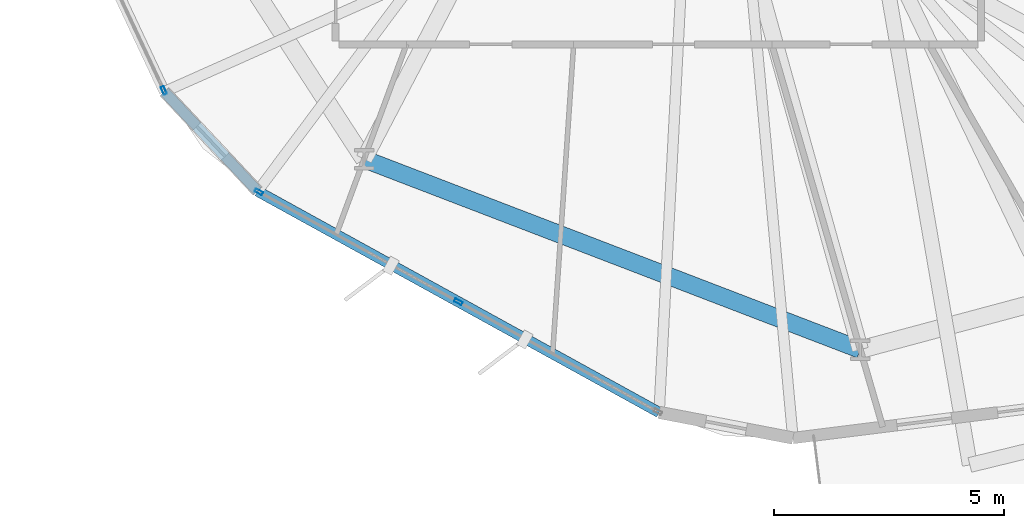
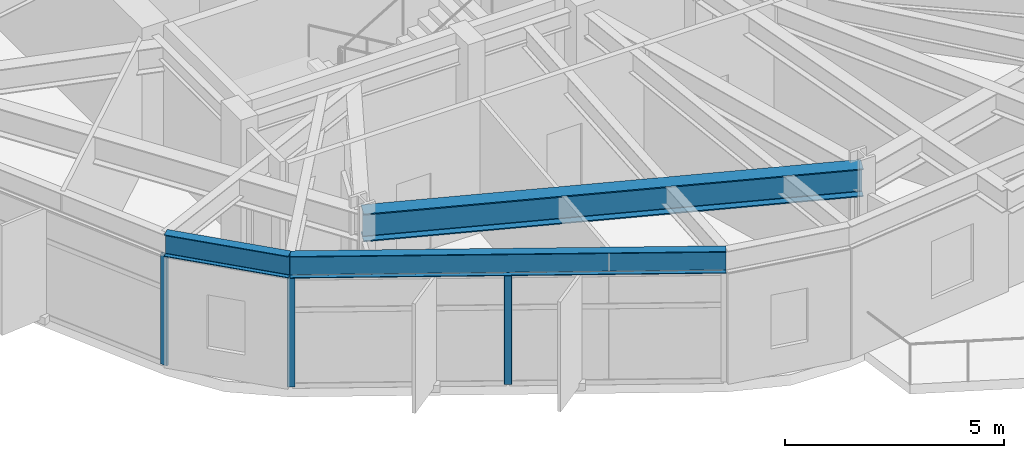
# One storey, part 2 of 22: 3 beams, 3 members, 2 elements without a shape of their own.
"""IFC4 building model written with IfcOpenShell, lengths in metres."""

import ifcopenshell
import ifcopenshell.guid

model = None  # the IFC model being written
_history = None  # IfcOwnerHistory: only IFC2X3 demands one
_inside = {}  # id of a spatial element -> (the spatial element, [elements in it])
_under = {}  # id of a project, library or spatial element -> (it, [spatial elements below it])
_declared = {}  # id of a project -> (the project, [libraries it declares])
_typed = {}  # id of a type object -> (the type object, [elements of that type])
_made_of = {}  # id of a material, layer set ... -> (it, [elements and type objects made of it])


def new_model(schema):
    """Start an empty IFC model of exactly this schema.

    Asked for "IFC4X3", IfcOpenShell would pick the latest addendum, in which some entities
    have other attributes; the version numbers below select the first issue.
    IFC2X3 requires an IfcOwnerHistory on every rooted entity: one is made here for all.
    """
    global model, _history
    if schema == "IFC4X3":
        model = ifcopenshell.file(schema_version=(4, 3, 0, 0))
    else:
        model = ifcopenshell.file(schema=schema)
    _inside.clear()
    _under.clear()
    _declared.clear()
    _typed.clear()
    _made_of.clear()
    _history = None
    if model.schema == "IFC2X3":
        org = make("IfcOrganization", Name="unknown")
        user = make(
            "IfcPersonAndOrganization",
            ThePerson=make("IfcPerson", FamilyName="unknown"),
            TheOrganization=org,
        )
        app = make(
            "IfcApplication",
            ApplicationDeveloper=org,
            Version="unknown",
            ApplicationFullName="unknown",
            ApplicationIdentifier="unknown",
        )
        _history = make(
            "IfcOwnerHistory",
            OwningUser=user,
            OwningApplication=app,
            ChangeAction="ADDED",
            CreationDate=0,
        )
    return model


def make(cls, **values):
    """One entity of the class cls with the attributes given. An attribute that is None is left unset."""
    return model.create_entity(
        cls, **{name: value for name, value in values.items() if value is not None}
    )


def rooted(cls, **values):
    """An entity with a GlobalId (a new one), such as an element, a storey or a relation."""
    return make(cls, GlobalId=ifcopenshell.guid.new(), OwnerHistory=_history, **values)


def si_unit(unit_type, name, prefix=None):
    """IfcSIUnit, for example si_unit("LENGTHUNIT", "METRE", prefix="MILLI")."""
    return make("IfcSIUnit", UnitType=unit_type, Prefix=prefix, Name=name)


def assignment(units):
    """IfcUnitAssignment: the units of a project."""
    return None if units is None else make("IfcUnitAssignment", Units=units)


def point(xyz):
    """IfcCartesianPoint."""
    return None if xyz is None else make("IfcCartesianPoint", Coordinates=xyz)


def direction(xyz):
    """IfcDirection."""
    return None if xyz is None else make("IfcDirection", DirectionRatios=xyz)


def frame(location, z_axis=None, x_axis=None):
    """IfcAxis2Placement3D, a coordinate frame: its origin and axes. An axis left out is left unset."""
    return make(
        "IfcAxis2Placement3D",
        Location=point(location),
        Axis=direction(z_axis),
        RefDirection=direction(x_axis),
    )


def frame_2d(location, x_axis=None):
    """IfcAxis2Placement2D, a coordinate frame in the plane: its origin and x axis."""
    return make(
        "IfcAxis2Placement2D", Location=point(location), RefDirection=direction(x_axis)
    )


def origin():
    """The frame at (0, 0, 0) with its axes left unset."""
    return frame((0.0, 0.0, 0.0))


def origin_2d():
    """The frame at (0, 0) in the plane with its x axis left unset."""
    return frame_2d((0.0, 0.0))


def place(relative_to, where):
    """IfcLocalPlacement: puts the frame where relative to a parent placement (None: the world)."""
    return make(
        "IfcLocalPlacement", PlacementRelTo=relative_to, RelativePlacement=where
    )


def context(
    kind, dimensions, precision=None, world=None, true_north=None, identifier=None
):
    """IfcGeometricRepresentationContext, for example the 3D "Model" context."""
    return make(
        "IfcGeometricRepresentationContext",
        ContextIdentifier=identifier,
        ContextType=kind,
        CoordinateSpaceDimension=dimensions,
        Precision=precision,
        WorldCoordinateSystem=world,
        TrueNorth=true_north,
    )


def subcontext(parent, identifier, kind, view, scale=None):
    """IfcGeometricRepresentationSubContext, for example "Body" below "Model"."""
    return make(
        "IfcGeometricRepresentationSubContext",
        ContextIdentifier=identifier,
        ContextType=kind,
        ParentContext=parent,
        TargetScale=scale,
        TargetView=view,
    )


def project(units=None, contexts=None):
    """IfcProject with its units and contexts."""
    return rooted(
        "IfcProject",
        Name="project",
        RepresentationContexts=contexts,
        UnitsInContext=assignment(units),
    )


def spatial(cls, under=None, at=None, **own):
    """A site, building, storey or space (cls), placed at a placement, below another one or the project."""
    s = rooted(cls, ObjectPlacement=at, **own)
    if under is not None:
        _under.setdefault(under.id(), (under, []))[1].append(s)
    return s


def profile(cls, at=None, kind="AREA", **sizes):
    """A parametric profile (cls). Its sizes go by their IFC names, for example OverallWidth=200.0."""
    return make(cls, ProfileType=kind, Position=at, **sizes)


def hollow_rectangle(**sizes):
    """IfcRectangleHollowProfileDef."""
    return profile("IfcRectangleHollowProfileDef", **sizes)


def i_section(**sizes):
    """IfcIShapeProfileDef."""
    return profile("IfcIShapeProfileDef", **sizes)


def extrude(swept, where, along, depth):
    """IfcExtrudedAreaSolid: the profile swept, set in the frame where, extruded along a direction by depth."""
    return make(
        "IfcExtrudedAreaSolid",
        SweptArea=swept,
        Position=where,
        ExtrudedDirection=direction(along),
        Depth=depth,
    )


def shape(context_of_items, identifier, shape_type, items):
    """IfcShapeRepresentation: the items that make up one representation, for example the "Body"."""
    return make(
        "IfcShapeRepresentation",
        ContextOfItems=context_of_items,
        RepresentationIdentifier=identifier,
        RepresentationType=shape_type,
        Items=items,
    )


def material(Name=None, Category=None):
    """IfcMaterial."""
    return make("IfcMaterial", Name=Name, Category=Category)


def layer(
    of_material, thickness, ventilated=None, Name=None, Category=None, Priority=None
):
    """IfcMaterialLayer: one layer of a wall or slab, of a material (None: an air gap)."""
    return make(
        "IfcMaterialLayer",
        Material=of_material,
        LayerThickness=thickness,
        IsVentilated=ventilated,
        Name=Name,
        Category=Category,
        Priority=Priority,
    )


def layer_set(layers, Name=None):
    """IfcMaterialLayerSet."""
    return make("IfcMaterialLayerSet", MaterialLayers=layers, LayerSetName=Name)


def material_profile(
    of_material, cross_section, Name=None, Category=None, Priority=None
):
    """IfcMaterialProfile: a cross section and its material."""
    return make(
        "IfcMaterialProfile",
        Name=Name,
        Material=of_material,
        Profile=cross_section,
        Priority=Priority,
        Category=Category,
    )


def profile_set(profiles, Name=None, composite=None):
    """IfcMaterialProfileSet."""
    return make(
        "IfcMaterialProfileSet",
        Name=Name,
        MaterialProfiles=profiles,
        CompositeProfile=composite,
    )


def made_of(thing, what):
    """Note that an element or type object is made of a material, layer set ...; save() writes the relation."""
    if what is not None:
        _made_of.setdefault(what.id(), (what, []))[1].append(thing)
    return thing


def type_object(cls, material=None, **own):
    """A type object (cls), such as IfcWallType, which elements share."""
    return made_of(rooted(cls, **own), material)


def element(
    cls,
    number,
    at=None,
    inside=None,
    cuts=None,
    type_object=None,
    material=None,
    context=None,
    identifier="Body",
    shape_type=None,
    held_by="IfcProductDefinitionShape",
    body=None,
    shapes=None,
    **own,
):
    """One element of the class cls, such as IfcWall. Its Tag is "e" and its number.

    at: its placement. inside: the storey or other place that contains it. cuts: it is an
    opening in that element (IfcRelVoidsElement). A single representation is given by context,
    identifier, shape_type and body (its items); several are given by shapes. held_by: the class
    of the entity that holds the representations. save() writes the other relations.
    """
    e = rooted(cls, Tag="e%d" % number, ObjectPlacement=at, **own)
    if body is not None:
        shapes = [shape(context, identifier, shape_type, body)]
    if shapes is not None:
        e.Representation = make(held_by, Representations=shapes)
    if inside is not None:
        _inside.setdefault(inside.id(), (inside, []))[1].append(e)
    if cuts is not None:
        rooted(
            "IfcRelVoidsElement", RelatingBuildingElement=cuts, RelatedOpeningElement=e
        )
    if type_object is not None:
        _typed.setdefault(type_object.id(), (type_object, []))[1].append(e)
    return made_of(e, material)


def aggregate(whole, parts):
    """IfcRelAggregates: a whole, such as a stair, and the parts it consists of."""
    return rooted("IfcRelAggregates", RelatingObject=whole, RelatedObjects=parts)


def save(model, path):
    """Write the relations noted so far, then the file.

    IfcRelAggregates (storeys below a building ...), IfcRelContainedInSpatialStructure (elements
    in a storey), IfcRelDefinesByType, IfcRelAssociatesMaterial and IfcRelDeclares: one each for
    every whole, place, type object, material and project.
    """
    for whole, parts in _under.values():
        aggregate(whole, parts)
    for where, things in _inside.values():
        rooted(
            "IfcRelContainedInSpatialStructure",
            RelatedElements=things,
            RelatingStructure=where,
        )
    for kind, things in _typed.values():
        rooted("IfcRelDefinesByType", RelatedObjects=things, RelatingType=kind)
    for what, things in _made_of.values():
        rooted("IfcRelAssociatesMaterial", RelatedObjects=things, RelatingMaterial=what)
    for by, libraries in _declared.values():
        rooted("IfcRelDeclares", RelatingContext=by, RelatedDefinitions=libraries)
    model.write(path)


model = new_model("IFC4")

# Units and contexts
model_context = context("Model", 3, precision=1e-05, world=origin(), true_north=direction((0.0, 1.0)))
body_context = subcontext(model_context, "Body", "Model", "MODEL_VIEW")
ifc_project = project(units=[si_unit("LENGTHUNIT", "METRE"), si_unit("AREAUNIT", "SQUARE_METRE"), si_unit("VOLUMEUNIT", "CUBIC_METRE"), si_unit("PLANEANGLEUNIT", "RADIAN"), si_unit("MASSUNIT", "GRAM", prefix="KILO")], contexts=[model_context])

# Site, building, storey
site_placement = place(None, origin())
site = spatial("IfcSite", under=ifc_project, at=site_placement, CompositionType="ELEMENT")
building_placement = place(site_placement, origin())
building = spatial("IfcBuilding", under=site, at=building_placement, Name="Soratama Intermodal Tower", CompositionType="ELEMENT")
storey_placement = place(building_placement, frame((0.0, 0.0, 54.60009765625)))
storey = spatial("IfcBuildingStorey", under=building, at=storey_placement, Name="L12", CompositionType="ELEMENT", Elevation=54.60009765625)

# Beams
ifc_material_1 = material(Name="Structural steel ASTM A992 Grade 50", Category="steel")
ifc_material_profile_1 = material_profile(ifc_material_1, i_section(OverallWidth=0.382080078125, OverallDepth=0.779052734375, WebThickness=0.01806640625, FlangeThickness=0.030029296875, FilletRadius=0.01806640625, at=origin_2d()), Name="W30X191")
ifc_profile_set_1 = profile_set([ifc_material_profile_1], Name="Structural steel ASTM A992 Grade 50")
beam_type_1 = type_object("IfcBeamType", Name="BM-RING-W30X191", PredefinedType="BEAM", material=ifc_profile_set_1)
beam_1_placement = place(storey_placement, frame((33.218994140625, 10.451904296875, 3.310302734375), z_axis=(0.933584159632, -0.358358224246, 0.0), x_axis=(0.358358224246, 0.933584159632, 0.0)))
element("IfcBeam", 1, at=beam_1_placement, inside=storey, type_object=beam_type_1, Name="BM-L12-RING-07", PredefinedType="BEAM", context=body_context, shape_type="SweptSolid", body=[
    extrude(i_section(OverallWidth=0.382080078125, OverallDepth=0.779052734375, WebThickness=0.01806640625, FlangeThickness=0.030029296875, FilletRadius=0.01806640625, at=origin_2d()), origin(), (0.0, 0.0, 1.0), 11.5693359375),
])
ifc_material_2 = material(Name="Structural steel ASTM A992 Grade 50", Category="steel")
ifc_material_profile_2 = material_profile(ifc_material_2, i_section(OverallWidth=0.22900390625, OverallDepth=0.612060546875, WebThickness=0.011962890625, FlangeThickness=0.01953125, FilletRadius=0.012939453125, at=origin_2d()), Name="W24X84")
ifc_profile_set_2 = profile_set([ifc_material_profile_2], Name="Structural steel ASTM A992 Grade 50")
beam_type_2 = type_object("IfcBeamType", Name="BM-SPN-W24X84", PredefinedType="SPANDREL", material=ifc_profile_set_2)
beam_2_placement = place(storey_placement, frame((28.873046875, 11.919921875, 3.393798828125), z_axis=(0.683601579892, -0.729855382914, 0.0), x_axis=(0.729855382914, 0.683601579892, 0.0)))
element("IfcBeam", 2, at=beam_2_placement, inside=storey, type_object=beam_type_2, Name="BS-L12-CRN06", PredefinedType="SPANDREL", context=body_context, shape_type="SweptSolid", body=[
    extrude(i_section(OverallWidth=0.22900390625, OverallDepth=0.612060546875, WebThickness=0.011962890625, FlangeThickness=0.01953125, FilletRadius=0.012939453125, at=origin_2d()), origin(), (0.0, 0.0, 1.0), 2.96630859375),
])
beam_3_placement = place(storey_placement, frame((30.90087890625, 9.7548828125, 3.393798828125), z_axis=(0.87584374358, -0.482594795694, 0.0), x_axis=(0.482594795694, 0.87584374358, 0.0)))
element("IfcBeam", 3, at=beam_3_placement, inside=storey, type_object=beam_type_2, Name="BS-L12-F07", PredefinedType="SPANDREL", context=body_context, shape_type="SweptSolid", body=[
    extrude(i_section(OverallWidth=0.22900390625, OverallDepth=0.612060546875, WebThickness=0.011962890625, FlangeThickness=0.01953125, FilletRadius=0.012939453125, at=origin_2d()), origin(), (0.0, 0.0, 1.0), 9.979248046875),
])

# Curtain wall, member
ifc_material_3 = material(Name="Double-glazed aluminium curtain wall", Category="aluminium")
ifc_layer = layer(ifc_material_3, 0.159912109375)
ifc_layer_set = layer_set([ifc_layer], Name="Double-glazed aluminium curtain wall")
curtain_wall_type = type_object("IfcCurtainWallType", Name="CW-SYS-2", PredefinedType="NOTDEFINED", material=ifc_layer_set)
curtain_wall_1_placement = place(storey_placement, origin())
curtain_wall_1 = element("IfcCurtainWall", 4, at=curtain_wall_1_placement, inside=storey, type_object=curtain_wall_type, Name="L12 Faceted Curtain Wall F06", PredefinedType="NOTDEFINED")
ifc_material_4 = material(Name="Anodised aluminium AA 6063-T6", Category="aluminium")
ifc_material_profile_3 = material_profile(ifc_material_4, hollow_rectangle(XDim=0.074951171875, YDim=0.179931640625, WallThickness=0.006103515625, InnerFilletRadius=0.006103515625, OuterFilletRadius=0.011962890625, at=origin_2d()), Name="CWM180X75X6")
ifc_profile_set_3 = profile_set([ifc_material_profile_3], Name="Anodised aluminium AA 6063-T6")
member_type = type_object("IfcMemberType", Name="MT-CWM-2", PredefinedType="MULLION", material=ifc_profile_set_3)
member_1_placement = place(storey_placement, frame((28.860107421875, 11.947265625, 0.0), z_axis=(0.0, 0.0, 1.0), x_axis=(0.905273754892, 0.424828705132, 0.0)))
member_1 = element("IfcMember", 5, at=member_1_placement, type_object=member_type, Name="CW-2 mullion 3", PredefinedType="MULLION", context=body_context, shape_type="SweptSolid", body=[
    extrude(hollow_rectangle(XDim=0.074951171875, YDim=0.179931640625, WallThickness=0.006103515625, InnerFilletRadius=0.006103515625, OuterFilletRadius=0.011962890625, at=origin_2d()), origin(), (0.0, 0.0, 1.0), 3.078857421875),
])
aggregate(curtain_wall_1, [member_1])

# Curtain wall, members
curtain_wall_2_placement = place(storey_placement, origin())
curtain_wall_2 = element("IfcCurtainWall", 6, at=curtain_wall_2_placement, inside=storey, type_object=curtain_wall_type, Name="L12 Faceted Curtain Wall F07", PredefinedType="NOTDEFINED")
member_2_placement = place(storey_placement, frame((30.927490234375, 9.740966796875, 0.0), z_axis=(0.0, 0.0, 1.0), x_axis=(0.482677542899, 0.875798144313, 0.0)))
member_2 = element("IfcMember", 7, at=member_2_placement, type_object=member_type, Name="CW-2 mullion 1", PredefinedType="MULLION", context=body_context, shape_type="SweptSolid", body=[
    extrude(hollow_rectangle(XDim=0.074951171875, YDim=0.179931640625, WallThickness=0.006103515625, InnerFilletRadius=0.006103515625, OuterFilletRadius=0.011962890625, at=origin_2d()), origin(), (0.0, 0.0, 1.0), 3.078857421875),
])
member_3_placement = place(storey_placement, frame((35.271240234375, 7.34716796875, 0.0), z_axis=(0.0, 0.0, 1.0), x_axis=(0.482677542899, 0.875798144313, 0.0)))
member_3 = element("IfcMember", 8, at=member_3_placement, type_object=member_type, Name="CW-2 mullion 2", PredefinedType="MULLION", context=body_context, shape_type="SweptSolid", body=[
    extrude(hollow_rectangle(XDim=0.074951171875, YDim=0.179931640625, WallThickness=0.006103515625, InnerFilletRadius=0.006103515625, OuterFilletRadius=0.011962890625, at=origin_2d()), origin(), (0.0, 0.0, 1.0), 3.078857421875),
])
aggregate(curtain_wall_2, [member_2, member_3])

save(model, "model.ifc")
